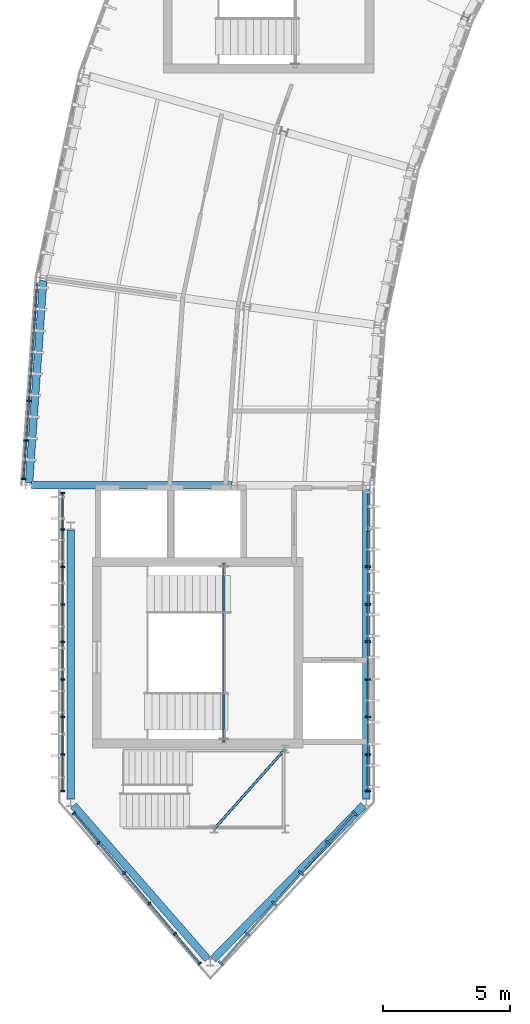
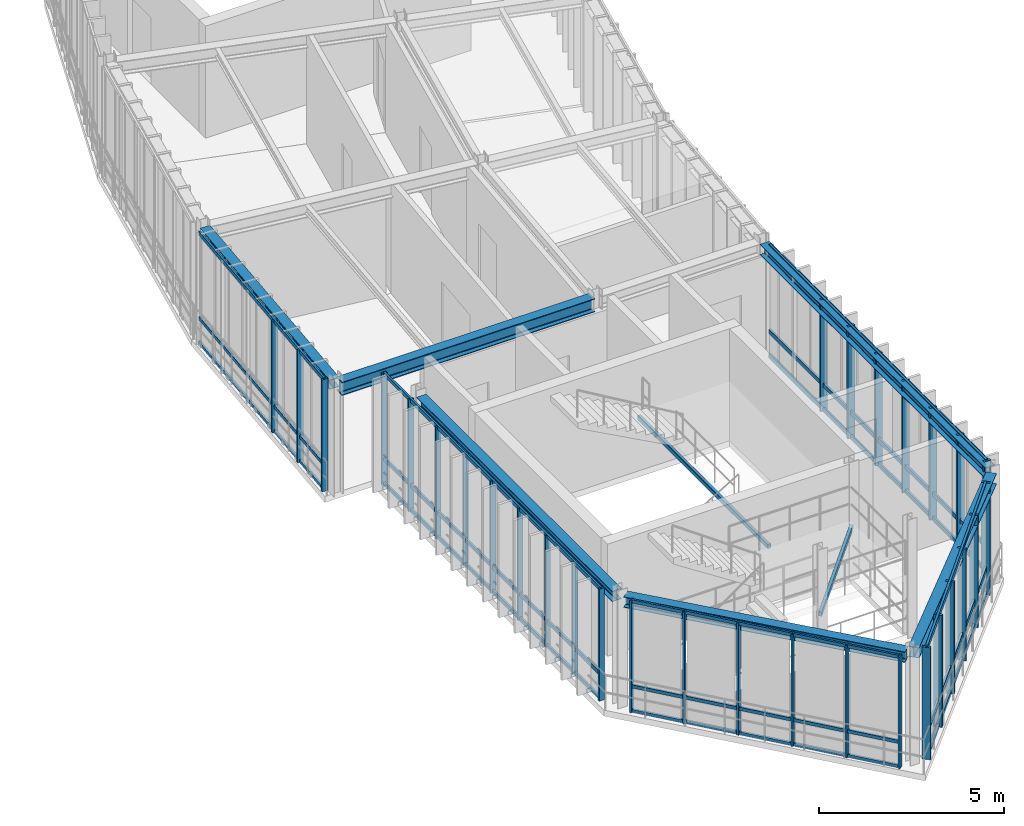
# One storey, part 4 of 25: 48 members, 6 beams, 5 elements without a shape of their own.
"""IFC4 building model written with IfcOpenShell, lengths in metres."""

import ifcopenshell
import ifcopenshell.guid

model = None  # the IFC model being written
_history = None  # IfcOwnerHistory: only IFC2X3 demands one
_inside = {}  # id of a spatial element -> (the spatial element, [elements in it])
_under = {}  # id of a project, library or spatial element -> (it, [spatial elements below it])
_declared = {}  # id of a project -> (the project, [libraries it declares])
_typed = {}  # id of a type object -> (the type object, [elements of that type])
_made_of = {}  # id of a material, layer set ... -> (it, [elements and type objects made of it])


def new_model(schema):
    """Start an empty IFC model of exactly this schema.

    Asked for "IFC4X3", IfcOpenShell would pick the latest addendum, in which some entities
    have other attributes; the version numbers below select the first issue.
    IFC2X3 requires an IfcOwnerHistory on every rooted entity: one is made here for all.
    """
    global model, _history
    if schema == "IFC4X3":
        model = ifcopenshell.file(schema_version=(4, 3, 0, 0))
    else:
        model = ifcopenshell.file(schema=schema)
    _inside.clear()
    _under.clear()
    _declared.clear()
    _typed.clear()
    _made_of.clear()
    _history = None
    if model.schema == "IFC2X3":
        org = make("IfcOrganization", Name="unknown")
        user = make(
            "IfcPersonAndOrganization",
            ThePerson=make("IfcPerson", FamilyName="unknown"),
            TheOrganization=org,
        )
        app = make(
            "IfcApplication",
            ApplicationDeveloper=org,
            Version="unknown",
            ApplicationFullName="unknown",
            ApplicationIdentifier="unknown",
        )
        _history = make(
            "IfcOwnerHistory",
            OwningUser=user,
            OwningApplication=app,
            ChangeAction="ADDED",
            CreationDate=0,
        )
    return model


def make(cls, **values):
    """One entity of the class cls with the attributes given. An attribute that is None is left unset."""
    return model.create_entity(
        cls, **{name: value for name, value in values.items() if value is not None}
    )


def rooted(cls, **values):
    """An entity with a GlobalId (a new one), such as an element, a storey or a relation."""
    return make(cls, GlobalId=ifcopenshell.guid.new(), OwnerHistory=_history, **values)


def si_unit(unit_type, name, prefix=None):
    """IfcSIUnit, for example si_unit("LENGTHUNIT", "METRE", prefix="MILLI")."""
    return make("IfcSIUnit", UnitType=unit_type, Prefix=prefix, Name=name)


def assignment(units):
    """IfcUnitAssignment: the units of a project."""
    return None if units is None else make("IfcUnitAssignment", Units=units)


def point(xyz):
    """IfcCartesianPoint."""
    return None if xyz is None else make("IfcCartesianPoint", Coordinates=xyz)


def direction(xyz):
    """IfcDirection."""
    return None if xyz is None else make("IfcDirection", DirectionRatios=xyz)


def frame(location, z_axis=None, x_axis=None):
    """IfcAxis2Placement3D, a coordinate frame: its origin and axes. An axis left out is left unset."""
    return make(
        "IfcAxis2Placement3D",
        Location=point(location),
        Axis=direction(z_axis),
        RefDirection=direction(x_axis),
    )


def frame_2d(location, x_axis=None):
    """IfcAxis2Placement2D, a coordinate frame in the plane: its origin and x axis."""
    return make(
        "IfcAxis2Placement2D", Location=point(location), RefDirection=direction(x_axis)
    )


def origin():
    """The frame at (0, 0, 0) with its axes left unset."""
    return frame((0.0, 0.0, 0.0))


def origin_2d():
    """The frame at (0, 0) in the plane with its x axis left unset."""
    return frame_2d((0.0, 0.0))


def place(relative_to, where):
    """IfcLocalPlacement: puts the frame where relative to a parent placement (None: the world)."""
    return make(
        "IfcLocalPlacement", PlacementRelTo=relative_to, RelativePlacement=where
    )


def context(
    kind, dimensions, precision=None, world=None, true_north=None, identifier=None
):
    """IfcGeometricRepresentationContext, for example the 3D "Model" context."""
    return make(
        "IfcGeometricRepresentationContext",
        ContextIdentifier=identifier,
        ContextType=kind,
        CoordinateSpaceDimension=dimensions,
        Precision=precision,
        WorldCoordinateSystem=world,
        TrueNorth=true_north,
    )


def subcontext(parent, identifier, kind, view, scale=None):
    """IfcGeometricRepresentationSubContext, for example "Body" below "Model"."""
    return make(
        "IfcGeometricRepresentationSubContext",
        ContextIdentifier=identifier,
        ContextType=kind,
        ParentContext=parent,
        TargetScale=scale,
        TargetView=view,
    )


def project(units=None, contexts=None):
    """IfcProject with its units and contexts."""
    return rooted(
        "IfcProject",
        Name="project",
        RepresentationContexts=contexts,
        UnitsInContext=assignment(units),
    )


def spatial(cls, under=None, at=None, **own):
    """A site, building, storey or space (cls), placed at a placement, below another one or the project."""
    s = rooted(cls, ObjectPlacement=at, **own)
    if under is not None:
        _under.setdefault(under.id(), (under, []))[1].append(s)
    return s


def profile(cls, at=None, kind="AREA", **sizes):
    """A parametric profile (cls). Its sizes go by their IFC names, for example OverallWidth=200.0."""
    return make(cls, ProfileType=kind, Position=at, **sizes)


def rectangle(**sizes):
    """IfcRectangleProfileDef."""
    return profile("IfcRectangleProfileDef", **sizes)


def hollow_rectangle(**sizes):
    """IfcRectangleHollowProfileDef."""
    return profile("IfcRectangleHollowProfileDef", **sizes)


def i_section(**sizes):
    """IfcIShapeProfileDef."""
    return profile("IfcIShapeProfileDef", **sizes)


def extrude(swept, where, along, depth):
    """IfcExtrudedAreaSolid: the profile swept, set in the frame where, extruded along a direction by depth."""
    return make(
        "IfcExtrudedAreaSolid",
        SweptArea=swept,
        Position=where,
        ExtrudedDirection=direction(along),
        Depth=depth,
    )


def shape(context_of_items, identifier, shape_type, items):
    """IfcShapeRepresentation: the items that make up one representation, for example the "Body"."""
    return make(
        "IfcShapeRepresentation",
        ContextOfItems=context_of_items,
        RepresentationIdentifier=identifier,
        RepresentationType=shape_type,
        Items=items,
    )


def material(Name=None, Category=None):
    """IfcMaterial."""
    return make("IfcMaterial", Name=Name, Category=Category)


def layer(
    of_material, thickness, ventilated=None, Name=None, Category=None, Priority=None
):
    """IfcMaterialLayer: one layer of a wall or slab, of a material (None: an air gap)."""
    return make(
        "IfcMaterialLayer",
        Material=of_material,
        LayerThickness=thickness,
        IsVentilated=ventilated,
        Name=Name,
        Category=Category,
        Priority=Priority,
    )


def layer_set(layers, Name=None):
    """IfcMaterialLayerSet."""
    return make("IfcMaterialLayerSet", MaterialLayers=layers, LayerSetName=Name)


def material_profile(
    of_material, cross_section, Name=None, Category=None, Priority=None
):
    """IfcMaterialProfile: a cross section and its material."""
    return make(
        "IfcMaterialProfile",
        Name=Name,
        Material=of_material,
        Profile=cross_section,
        Priority=Priority,
        Category=Category,
    )


def profile_set(profiles, Name=None, composite=None):
    """IfcMaterialProfileSet."""
    return make(
        "IfcMaterialProfileSet",
        Name=Name,
        MaterialProfiles=profiles,
        CompositeProfile=composite,
    )


def made_of(thing, what):
    """Note that an element or type object is made of a material, layer set ...; save() writes the relation."""
    if what is not None:
        _made_of.setdefault(what.id(), (what, []))[1].append(thing)
    return thing


def type_object(cls, material=None, **own):
    """A type object (cls), such as IfcWallType, which elements share."""
    return made_of(rooted(cls, **own), material)


def element(
    cls,
    number,
    at=None,
    inside=None,
    cuts=None,
    type_object=None,
    material=None,
    context=None,
    identifier="Body",
    shape_type=None,
    held_by="IfcProductDefinitionShape",
    body=None,
    shapes=None,
    **own,
):
    """One element of the class cls, such as IfcWall. Its Tag is "e" and its number.

    at: its placement. inside: the storey or other place that contains it. cuts: it is an
    opening in that element (IfcRelVoidsElement). A single representation is given by context,
    identifier, shape_type and body (its items); several are given by shapes. held_by: the class
    of the entity that holds the representations. save() writes the other relations.
    """
    e = rooted(cls, Tag="e%d" % number, ObjectPlacement=at, **own)
    if body is not None:
        shapes = [shape(context, identifier, shape_type, body)]
    if shapes is not None:
        e.Representation = make(held_by, Representations=shapes)
    if inside is not None:
        _inside.setdefault(inside.id(), (inside, []))[1].append(e)
    if cuts is not None:
        rooted(
            "IfcRelVoidsElement", RelatingBuildingElement=cuts, RelatedOpeningElement=e
        )
    if type_object is not None:
        _typed.setdefault(type_object.id(), (type_object, []))[1].append(e)
    return made_of(e, material)


def aggregate(whole, parts):
    """IfcRelAggregates: a whole, such as a stair, and the parts it consists of."""
    return rooted("IfcRelAggregates", RelatingObject=whole, RelatedObjects=parts)


def save(model, path):
    """Write the relations noted so far, then the file.

    IfcRelAggregates (storeys below a building ...), IfcRelContainedInSpatialStructure (elements
    in a storey), IfcRelDefinesByType, IfcRelAssociatesMaterial and IfcRelDeclares: one each for
    every whole, place, type object, material and project.
    """
    for whole, parts in _under.values():
        aggregate(whole, parts)
    for where, things in _inside.values():
        rooted(
            "IfcRelContainedInSpatialStructure",
            RelatedElements=things,
            RelatingStructure=where,
        )
    for kind, things in _typed.values():
        rooted("IfcRelDefinesByType", RelatedObjects=things, RelatingType=kind)
    for what, things in _made_of.values():
        rooted("IfcRelAssociatesMaterial", RelatedObjects=things, RelatingMaterial=what)
    for by, libraries in _declared.values():
        rooted("IfcRelDeclares", RelatingContext=by, RelatedDefinitions=libraries)
    model.write(path)


model = new_model("IFC4")

# Units and contexts
model_context = context("Model", 3, precision=1e-05, world=origin(), true_north=direction((0.0, 1.0)))
body_context = subcontext(model_context, "Body", "Model", "MODEL_VIEW")
ifc_project = project(units=[si_unit("LENGTHUNIT", "METRE"), si_unit("AREAUNIT", "SQUARE_METRE"), si_unit("VOLUMEUNIT", "CUBIC_METRE"), si_unit("PLANEANGLEUNIT", "RADIAN"), si_unit("MASSUNIT", "GRAM", prefix="KILO"), si_unit("THERMODYNAMICTEMPERATUREUNIT", "KELVIN"), si_unit("POWERUNIT", "WATT")], contexts=[model_context])

# Site, building, storey
site_placement = place(None, origin())
site = spatial("IfcSite", under=ifc_project, at=site_placement, CompositionType="ELEMENT")
building_placement = place(site_placement, origin())
building = spatial("IfcBuilding", under=site, at=building_placement, Name="Solvatero Civic Police Headquarters", CompositionType="ELEMENT")
storey_placement = place(building_placement, frame((0.0, 0.0, 25.5)))
storey = spatial("IfcBuildingStorey", under=building, at=storey_placement, Name="L06", CompositionType="ELEMENT", Elevation=25.5)

# Beams
ifc_material_1 = material(Name="Steel S355", Category="steel")
ifc_material_profile_1 = material_profile(ifc_material_1, i_section(OverallWidth=0.300048828125, OverallDepth=0.31005859375, WebThickness=0.009033203125, FlangeThickness=0.015380859375, FilletRadius=0.027099609375, at=origin_2d()), Name="HEA 320")
ifc_profile_set_1 = profile_set([ifc_material_profile_1], Name="Steel S355")
beam_type_1 = type_object("IfcBeamType", Name="BM-ST-HEA320", PredefinedType="SPANDREL", material=ifc_profile_set_1)
beam_1_placement = place(storey_placement, frame((35.913818359375, 34.062744140625, 3.544921875), z_axis=(-0.06976460332, -0.997563481751, 0.0), x_axis=(0.997563481751, -0.06976460332, 0.0)))
element("IfcBeam", 1, at=beam_1_placement, inside=storey, type_object=beam_type_1, Name="Perimeter / radial spandrel beam BM-R2-L06-ARC-COUT-B12", PredefinedType="SPANDREL", context=body_context, shape_type="SweptSolid", body=[
    extrude(i_section(OverallWidth=0.300048828125, OverallDepth=0.31005859375, WebThickness=0.009033203125, FlangeThickness=0.015380859375, FilletRadius=0.027099609375, at=origin_2d()), origin(), (0.0, 0.0, 1.0), 7.982421875),
])
ifc_material_profile_2 = material_profile(ifc_material_1, i_section(OverallWidth=0.300048828125, OverallDepth=0.35009765625, WebThickness=0.010009765625, FlangeThickness=0.017578125, FilletRadius=0.027099609375, at=origin_2d()), Name="HEA 360")
ifc_profile_set_2 = profile_set([ifc_material_profile_2], Name="Steel S355")
beam_type_2 = type_object("IfcBeamType", Name="BM-ST-HEA360", PredefinedType="SPANDREL", material=ifc_profile_set_2)
beam_2_placement = place(storey_placement, frame((37.0, 24.239990234375, 3.52490234375), z_axis=(0.0, -1.0, 0.0), x_axis=(1.0, 0.0, 0.0)))
element("IfcBeam", 2, at=beam_2_placement, inside=storey, type_object=beam_type_2, Name="Perimeter / radial spandrel beam BM-R2-L06-PROW-W", PredefinedType="SPANDREL", context=body_context, shape_type="SweptSolid", body=[
    extrude(i_section(OverallWidth=0.300048828125, OverallDepth=0.35009765625, WebThickness=0.010009765625, FlangeThickness=0.017578125, FilletRadius=0.027099609375, at=origin_2d()), origin(), (0.0, 0.0, 1.0), 10.580078125),
])
beam_3_placement = place(storey_placement, frame((37.105224609375, 13.37939453125, 3.52490234375), z_axis=(0.657663937616, -0.753311452959, 0.0), x_axis=(0.753311452959, 0.657663937616, 0.0)))
element("IfcBeam", 3, at=beam_3_placement, inside=storey, type_object=beam_type_2, Name="Perimeter / radial spandrel beam BM-R2-L06-PROW-SW", PredefinedType="SPANDREL", context=body_context, shape_type="SweptSolid", body=[
    extrude(i_section(OverallWidth=0.300048828125, OverallDepth=0.35009765625, WebThickness=0.010009765625, FlangeThickness=0.017578125, FilletRadius=0.027099609375, at=origin_2d()), origin(), (0.0, 0.0, 1.0), 8.04296875),
])
beam_4_placement = place(storey_placement, frame((42.61181640625, 7.314453125, 3.52490234375), z_axis=(0.698523042205, 0.715587562433, 0.0), x_axis=(-0.715587562433, 0.698523042205, 0.0)))
element("IfcBeam", 4, at=beam_4_placement, inside=storey, type_object=beam_type_2, Name="Perimeter / radial spandrel beam BM-R2-L06-PROW-SE", PredefinedType="SPANDREL", context=body_context, shape_type="SweptSolid", body=[
    extrude(i_section(OverallWidth=0.300048828125, OverallDepth=0.35009765625, WebThickness=0.010009765625, FlangeThickness=0.017578125, FilletRadius=0.027099609375, at=origin_2d()), origin(), (0.0, 0.0, 1.0), 8.48388671875),
])
beam_5_placement = place(storey_placement, frame((48.64990234375, 13.659912109375, 3.52490234375), z_axis=(0.0, 1.0, 0.0), x_axis=(-1.0, 0.0, 0.0)))
element("IfcBeam", 5, at=beam_5_placement, inside=storey, type_object=beam_type_2, Name="Perimeter / radial spandrel beam BM-R2-L06-PROW-E", PredefinedType="SPANDREL", context=body_context, shape_type="SweptSolid", body=[
    extrude(i_section(OverallWidth=0.300048828125, OverallDepth=0.35009765625, WebThickness=0.010009765625, FlangeThickness=0.017578125, FilletRadius=0.027099609375, at=origin_2d()), origin(), (0.0, 0.0, 1.0), 12.18017578125),
])
ifc_material_profile_3 = material_profile(ifc_material_1, i_section(OverallWidth=0.300048828125, OverallDepth=0.43994140625, WebThickness=0.011474609375, FlangeThickness=0.02099609375, FilletRadius=0.027099609375, at=origin_2d()), Name="HEA 450")
ifc_profile_set_3 = profile_set([ifc_material_profile_3], Name="Steel S355")
beam_type_3 = type_object("IfcBeamType", Name="BM-ST-HEA450", PredefinedType="BEAM", material=ifc_profile_set_3)
beam_6_placement = place(storey_placement, frame((43.35009765625, 26.0, 3.47998046875), z_axis=(-1.0, 0.0, 0.0), x_axis=(0.0, -1.0, 0.0)))
element("IfcBeam", 6, at=beam_6_placement, inside=storey, type_object=beam_type_3, Name="Primary girder BM-R2-L06-ARC-RAD2-S12", PredefinedType="BEAM", context=body_context, shape_type="SweptSolid", body=[
    extrude(i_section(OverallWidth=0.300048828125, OverallDepth=0.43994140625, WebThickness=0.011474609375, FlangeThickness=0.02099609375, FilletRadius=0.027099609375, at=origin_2d()), origin(), (0.0, 0.0, 1.0), 7.900146484375),
])

# Curtain wall, members
ifc_material_2 = material(Name="Anodized Bronze Aluminium", Category="aluminium")
ifc_layer_1 = layer(ifc_material_2, 0.179931640625)
ifc_layer_set_1 = layer_set([ifc_layer_1], Name="Anodized Bronze Aluminium")
curtain_wall_type_1 = type_object("IfcCurtainWallType", Name="CW-PROW-GLZ", PredefinedType="USERDEFINED", material=ifc_layer_set_1)
curtain_wall_1_placement = place(storey_placement, origin())
curtain_wall_1 = element("IfcCurtainWall", 7, at=curtain_wall_1_placement, inside=storey, type_object=curtain_wall_type_1, Name="Curtain Wall CW-R2-L06-PROW-SE", ObjectType="UNITISED", PredefinedType="USERDEFINED")
ifc_material_profile_4 = material_profile(ifc_material_2, rectangle(XDim=0.080078125, YDim=0.239990234375, at=origin_2d()), Name="ALU MULLION 80x240")
ifc_profile_set_4 = profile_set([ifc_material_profile_4], Name="Anodized Bronze Aluminium")
member_type_1 = type_object("IfcMemberType", Name="CWM-140x60", PredefinedType="MULLION", material=ifc_profile_set_4)
member_1_placement = place(storey_placement, frame((42.91650390625, 7.15478515625, 0.0), z_axis=(0.0, 0.0, 1.0), x_axis=(0.664656781592, 0.747148822313, 0.0)))
member_1 = element("IfcMember", 8, at=member_1_placement, type_object=member_type_1, Name="CW-R2-L06-PROW-SE Mullion 1", PredefinedType="MULLION", context=body_context, shape_type="SweptSolid", body=[
    extrude(rectangle(XDim=0.080078125, YDim=0.239990234375, at=origin_2d()), origin(), (0.0, 0.0, 1.0), 3.699951171875),
])
member_2_placement = place(storey_placement, frame((43.9541015625, 8.32080078125, 0.0), z_axis=(0.0, 0.0, 1.0), x_axis=(0.664656781592, 0.747148822313, 0.0)))
member_2 = element("IfcMember", 9, at=member_2_placement, type_object=member_type_1, Name="CW-R2-L06-PROW-SE Mullion 2", PredefinedType="MULLION", context=body_context, shape_type="SweptSolid", body=[
    extrude(rectangle(XDim=0.080078125, YDim=0.239990234375, at=origin_2d()), origin(), (0.0, 0.0, 1.0), 3.699951171875),
])
member_3_placement = place(storey_placement, frame((45.01806640625, 9.516845703125, 0.0), z_axis=(0.0, 0.0, 1.0), x_axis=(0.664656781592, 0.747148822313, 0.0)))
member_3 = element("IfcMember", 10, at=member_3_placement, type_object=member_type_1, Name="CW-R2-L06-PROW-SE Mullion 3", PredefinedType="MULLION", context=body_context, shape_type="SweptSolid", body=[
    extrude(rectangle(XDim=0.080078125, YDim=0.239990234375, at=origin_2d()), origin(), (0.0, 0.0, 1.0), 3.699951171875),
])
member_4_placement = place(storey_placement, frame((46.08203125, 10.712890625, 0.0), z_axis=(0.0, 0.0, 1.0), x_axis=(0.664656781592, 0.747148822313, 0.0)))
member_4 = element("IfcMember", 11, at=member_4_placement, type_object=member_type_1, Name="CW-R2-L06-PROW-SE Mullion 4", PredefinedType="MULLION", context=body_context, shape_type="SweptSolid", body=[
    extrude(rectangle(XDim=0.080078125, YDim=0.239990234375, at=origin_2d()), origin(), (0.0, 0.0, 1.0), 3.699951171875),
])
member_5_placement = place(storey_placement, frame((47.14599609375, 11.9091796875, 0.0), z_axis=(0.0, 0.0, 1.0), x_axis=(0.664656781592, 0.747148822313, 0.0)))
member_5 = element("IfcMember", 12, at=member_5_placement, type_object=member_type_1, Name="CW-R2-L06-PROW-SE Mullion 5", PredefinedType="MULLION", context=body_context, shape_type="SweptSolid", body=[
    extrude(rectangle(XDim=0.080078125, YDim=0.239990234375, at=origin_2d()), origin(), (0.0, 0.0, 1.0), 3.699951171875),
])
member_6_placement = place(storey_placement, frame((48.18359375, 13.0751953125, 0.0), z_axis=(0.0, 0.0, 1.0), x_axis=(0.664656781592, 0.747148822313, 0.0)))
member_6 = element("IfcMember", 13, at=member_6_placement, type_object=member_type_1, Name="CW-R2-L06-PROW-SE Mullion 6", PredefinedType="MULLION", context=body_context, shape_type="SweptSolid", body=[
    extrude(rectangle(XDim=0.080078125, YDim=0.239990234375, at=origin_2d()), origin(), (0.0, 0.0, 1.0), 3.699951171875),
])

curtain_wall_2_placement = place(storey_placement, origin())
curtain_wall_2 = element("IfcCurtainWall", 14, at=curtain_wall_2_placement, inside=storey, type_object=curtain_wall_type_1, Name="Curtain Wall CW-R2-L06-PROW-SW", ObjectType="UNITISED", PredefinedType="USERDEFINED")
ifc_material_profile_5 = material_profile(ifc_material_2, rectangle(XDim=0.06005859375, YDim=0.139892578125, at=origin_2d()), Name="ALU MULLION 60x140")
ifc_profile_set_5 = profile_set([ifc_material_profile_5], Name="Anodized Bronze Aluminium")
member_type_2 = type_object("IfcMemberType", Name="CWM-160x65", PredefinedType="MULLION", material=ifc_profile_set_5)
member_7_placement = place(storey_placement, frame((37.1142578125, 13.073486328125, 0.0), z_axis=(0.0, 0.0, 1.0), x_axis=(0.643282165541, -0.765629189293, 0.0)))
member_7 = element("IfcMember", 15, at=member_7_placement, type_object=member_type_2, Name="CW-R2-L06-PROW-SW Mullion 1", PredefinedType="MULLION", context=body_context, shape_type="SweptSolid", body=[
    extrude(rectangle(XDim=0.06005859375, YDim=0.139892578125, at=origin_2d()), origin(), (0.0, 0.0, 1.0), 3.699951171875),
])
member_8_placement = place(storey_placement, frame((38.09326171875, 11.908447265625, 0.0), z_axis=(0.0, 0.0, 1.0), x_axis=(0.643282165541, -0.765629189293, 0.0)))
member_8 = element("IfcMember", 16, at=member_8_placement, type_object=member_type_2, Name="CW-R2-L06-PROW-SW Mullion 2", PredefinedType="MULLION", context=body_context, shape_type="SweptSolid", body=[
    extrude(rectangle(XDim=0.06005859375, YDim=0.139892578125, at=origin_2d()), origin(), (0.0, 0.0, 1.0), 3.699951171875),
])
member_9_placement = place(storey_placement, frame((39.09765625, 10.712890625, 0.0), z_axis=(0.0, 0.0, 1.0), x_axis=(0.643282165541, -0.765629189293, 0.0)))
member_9 = element("IfcMember", 17, at=member_9_placement, type_object=member_type_2, Name="CW-R2-L06-PROW-SW Mullion 3", PredefinedType="MULLION", context=body_context, shape_type="SweptSolid", body=[
    extrude(rectangle(XDim=0.06005859375, YDim=0.139892578125, at=origin_2d()), origin(), (0.0, 0.0, 1.0), 3.699951171875),
])
member_10_placement = place(storey_placement, frame((40.102294921875, 9.51708984375, 0.0), z_axis=(0.0, 0.0, 1.0), x_axis=(0.643282165541, -0.765629189293, 0.0)))
member_10 = element("IfcMember", 18, at=member_10_placement, type_object=member_type_2, Name="CW-R2-L06-PROW-SW Mullion 4", PredefinedType="MULLION", context=body_context, shape_type="SweptSolid", body=[
    extrude(rectangle(XDim=0.06005859375, YDim=0.139892578125, at=origin_2d()), origin(), (0.0, 0.0, 1.0), 3.699951171875),
])
member_11_placement = place(storey_placement, frame((41.10693359375, 8.321533203125, 0.0), z_axis=(0.0, 0.0, 1.0), x_axis=(0.643282165541, -0.765629189293, 0.0)))
member_11 = element("IfcMember", 19, at=member_11_placement, type_object=member_type_2, Name="CW-R2-L06-PROW-SW Mullion 5", PredefinedType="MULLION", context=body_context, shape_type="SweptSolid", body=[
    extrude(rectangle(XDim=0.06005859375, YDim=0.139892578125, at=origin_2d()), origin(), (0.0, 0.0, 1.0), 3.699951171875),
])
member_12_placement = place(storey_placement, frame((42.085693359375, 7.156494140625, 0.0), z_axis=(0.0, 0.0, 1.0), x_axis=(0.643282165541, -0.765629189293, 0.0)))
member_12 = element("IfcMember", 20, at=member_12_placement, type_object=member_type_2, Name="CW-R2-L06-PROW-SW Mullion 6", PredefinedType="MULLION", context=body_context, shape_type="SweptSolid", body=[
    extrude(rectangle(XDim=0.06005859375, YDim=0.139892578125, at=origin_2d()), origin(), (0.0, 0.0, 1.0), 3.699951171875),
])

curtain_wall_3_placement = place(storey_placement, origin())
curtain_wall_3 = element("IfcCurtainWall", 21, at=curtain_wall_3_placement, inside=storey, type_object=curtain_wall_type_1, Name="Curtain Wall CW-R2-L06-PROW-W", ObjectType="UNITISED", PredefinedType="USERDEFINED")
ifc_material_profile_6 = material_profile(ifc_material_2, rectangle(XDim=0.06005859375, YDim=0.159912109375, at=origin_2d()), Name="ALU MULLION 60x160")
ifc_profile_set_6 = profile_set([ifc_material_profile_6], Name="Anodized Bronze Aluminium")
member_type_3 = type_object("IfcMemberType", Name="CWM-180x70", PredefinedType="MULLION", material=ifc_profile_set_6)
member_13_placement = place(storey_placement, frame((36.679931640625, 25.699951171875, 0.0), z_axis=(0.0, 0.0, 1.0), x_axis=(0.0, -1.0, 0.0)))
member_13 = element("IfcMember", 22, at=member_13_placement, type_object=member_type_3, Name="CW-R2-L06-PROW-W Mullion 1", PredefinedType="MULLION", context=body_context, shape_type="SweptSolid", body=[
    extrude(rectangle(XDim=0.06005859375, YDim=0.159912109375, at=origin_2d()), origin(), (0.0, 0.0, 1.0), 3.699951171875),
])
member_14_placement = place(storey_placement, frame((36.679931640625, 24.26123046875, 0.0), z_axis=(0.0, 0.0, 1.0), x_axis=(0.0, -1.0, 0.0)))
member_14 = element("IfcMember", 23, at=member_14_placement, type_object=member_type_3, Name="CW-R2-L06-PROW-W Mullion 2", PredefinedType="MULLION", context=body_context, shape_type="SweptSolid", body=[
    extrude(rectangle(XDim=0.06005859375, YDim=0.159912109375, at=origin_2d()), origin(), (0.0, 0.0, 1.0), 3.699951171875),
])
member_15_placement = place(storey_placement, frame((36.679931640625, 22.782470703125, 0.0), z_axis=(0.0, 0.0, 1.0), x_axis=(0.0, -1.0, 0.0)))
member_15 = element("IfcMember", 24, at=member_15_placement, type_object=member_type_3, Name="CW-R2-L06-PROW-W Mullion 3", PredefinedType="MULLION", context=body_context, shape_type="SweptSolid", body=[
    extrude(rectangle(XDim=0.06005859375, YDim=0.159912109375, at=origin_2d()), origin(), (0.0, 0.0, 1.0), 3.699951171875),
])
member_16_placement = place(storey_placement, frame((36.679931640625, 21.3037109375, 0.0), z_axis=(0.0, 0.0, 1.0), x_axis=(0.0, -1.0, 0.0)))
member_16 = element("IfcMember", 25, at=member_16_placement, type_object=member_type_3, Name="CW-R2-L06-PROW-W Mullion 4", PredefinedType="MULLION", context=body_context, shape_type="SweptSolid", body=[
    extrude(rectangle(XDim=0.06005859375, YDim=0.159912109375, at=origin_2d()), origin(), (0.0, 0.0, 1.0), 3.699951171875),
])
member_17_placement = place(storey_placement, frame((36.679931640625, 19.824951171875, 0.0), z_axis=(0.0, 0.0, 1.0), x_axis=(0.0, -1.0, 0.0)))
member_17 = element("IfcMember", 26, at=member_17_placement, type_object=member_type_3, Name="CW-R2-L06-PROW-W Mullion 5", PredefinedType="MULLION", context=body_context, shape_type="SweptSolid", body=[
    extrude(rectangle(XDim=0.06005859375, YDim=0.159912109375, at=origin_2d()), origin(), (0.0, 0.0, 1.0), 3.699951171875),
])
member_18_placement = place(storey_placement, frame((36.679931640625, 18.34619140625, 0.0), z_axis=(0.0, 0.0, 1.0), x_axis=(0.0, -1.0, 0.0)))
member_18 = element("IfcMember", 27, at=member_18_placement, type_object=member_type_3, Name="CW-R2-L06-PROW-W Mullion 6", PredefinedType="MULLION", context=body_context, shape_type="SweptSolid", body=[
    extrude(rectangle(XDim=0.06005859375, YDim=0.159912109375, at=origin_2d()), origin(), (0.0, 0.0, 1.0), 3.699951171875),
])
member_19_placement = place(storey_placement, frame((36.679931640625, 16.867431640625, 0.0), z_axis=(0.0, 0.0, 1.0), x_axis=(0.0, -1.0, 0.0)))
member_19 = element("IfcMember", 28, at=member_19_placement, type_object=member_type_3, Name="CW-R2-L06-PROW-W Mullion 7", PredefinedType="MULLION", context=body_context, shape_type="SweptSolid", body=[
    extrude(rectangle(XDim=0.06005859375, YDim=0.159912109375, at=origin_2d()), origin(), (0.0, 0.0, 1.0), 3.699951171875),
])
member_20_placement = place(storey_placement, frame((36.679931640625, 15.388671875, 0.0), z_axis=(0.0, 0.0, 1.0), x_axis=(0.0, -1.0, 0.0)))
member_20 = element("IfcMember", 29, at=member_20_placement, type_object=member_type_3, Name="CW-R2-L06-PROW-W Mullion 8", PredefinedType="MULLION", context=body_context, shape_type="SweptSolid", body=[
    extrude(rectangle(XDim=0.06005859375, YDim=0.159912109375, at=origin_2d()), origin(), (0.0, 0.0, 1.0), 3.699951171875),
])
member_21_placement = place(storey_placement, frame((36.679931640625, 13.949951171875, 0.0), z_axis=(0.0, 0.0, 1.0), x_axis=(0.0, -1.0, 0.0)))
member_21 = element("IfcMember", 30, at=member_21_placement, type_object=member_type_3, Name="CW-R2-L06-PROW-W Mullion 9", PredefinedType="MULLION", context=body_context, shape_type="SweptSolid", body=[
    extrude(rectangle(XDim=0.06005859375, YDim=0.159912109375, at=origin_2d()), origin(), (0.0, 0.0, 1.0), 3.699951171875),
])

ifc_layer_2 = layer(ifc_material_2, 0.179931640625)
ifc_layer_set_2 = layer_set([ifc_layer_2], Name="Anodized Bronze Aluminium")
curtain_wall_type_2 = type_object("IfcCurtainWallType", Name="CW-ARC-OUT", PredefinedType="USERDEFINED", material=ifc_layer_set_2)
curtain_wall_4_placement = place(storey_placement, origin())
curtain_wall_4 = element("IfcCurtainWall", 31, at=curtain_wall_4_placement, inside=storey, type_object=curtain_wall_type_2, Name="Curtain Wall CW-R2-L06-ARC-OUT-B12", ObjectType="UNITISED", PredefinedType="USERDEFINED")
ifc_material_profile_7 = material_profile(ifc_material_2, rectangle(XDim=0.06494140625, YDim=0.179931640625, at=origin_2d()), Name="ALU MULLION 65x180")
ifc_profile_set_7 = profile_set([ifc_material_profile_7], Name="Anodized Bronze Aluminium")
member_type_4 = type_object("IfcMemberType", Name="CWM-200x75", PredefinedType="MULLION", material=ifc_profile_set_7)
member_22_placement = place(storey_placement, frame((35.352294921875, 29.322998046875, 0.0), z_axis=(0.0, 0.0, 1.0), x_axis=(-0.069739062956, -0.997565267588, 0.0)))
member_22 = element("IfcMember", 32, at=member_22_placement, type_object=member_type_4, Name="CW-R2-L06-ARC-OUT-B12 Mullion 4", PredefinedType="MULLION", context=body_context, shape_type="SweptSolid", body=[
    extrude(rectangle(XDim=0.06494140625, YDim=0.179931640625, at=origin_2d()), origin(), (0.0, 0.0, 1.0), 3.699951171875),
])
member_23_placement = place(storey_placement, frame((35.243408203125, 27.76416015625, 0.0), z_axis=(0.0, 0.0, 1.0), x_axis=(-0.069739062956, -0.997565267588, 0.0)))
member_23 = element("IfcMember", 33, at=member_23_placement, type_object=member_type_4, Name="CW-R2-L06-ARC-OUT-B12 Mullion 5", PredefinedType="MULLION", context=body_context, shape_type="SweptSolid", body=[
    extrude(rectangle(XDim=0.06494140625, YDim=0.179931640625, at=origin_2d()), origin(), (0.0, 0.0, 1.0), 3.699951171875),
])
member_24_placement = place(storey_placement, frame((35.13720703125, 26.245361328125, 0.0), z_axis=(0.0, 0.0, 1.0), x_axis=(-0.069739062956, -0.997565267588, 0.0)))
member_24 = element("IfcMember", 34, at=member_24_placement, type_object=member_type_4, Name="CW-R2-L06-ARC-OUT-B12 Mullion 6", PredefinedType="MULLION", context=body_context, shape_type="SweptSolid", body=[
    extrude(rectangle(XDim=0.06494140625, YDim=0.179931640625, at=origin_2d()), origin(), (0.0, 0.0, 1.0), 3.699951171875),
])

curtain_wall_5_placement = place(storey_placement, origin())
curtain_wall_5 = element("IfcCurtainWall", 35, at=curtain_wall_5_placement, inside=storey, type_object=curtain_wall_type_1, Name="Curtain Wall CW-R2-L06-PROW-E", ObjectType="UNITISED", PredefinedType="USERDEFINED")
ifc_material_profile_8 = material_profile(ifc_material_2, rectangle(XDim=0.074951171875, YDim=0.219970703125, at=origin_2d()), Name="ALU MULLION 75x220")
ifc_profile_set_8 = profile_set([ifc_material_profile_8], Name="Anodized Bronze Aluminium")
member_type_5 = type_object("IfcMemberType", Name="CWM-250x85", PredefinedType="MULLION", material=ifc_profile_set_8)
member_25_placement = place(storey_placement, frame((48.719970703125, 13.949951171875, 0.0), z_axis=(0.0, 0.0, 1.0), x_axis=(0.0, 1.0, 0.0)))
member_25 = element("IfcMember", 36, at=member_25_placement, type_object=member_type_5, Name="CW-R2-L06-PROW-E Mullion 1", PredefinedType="MULLION", context=body_context, shape_type="SweptSolid", body=[
    extrude(rectangle(XDim=0.074951171875, YDim=0.219970703125, at=origin_2d()), origin(), (0.0, 0.0, 1.0), 3.699951171875),
])
member_26_placement = place(storey_placement, frame((48.719970703125, 15.388671875, 0.0), z_axis=(0.0, 0.0, 1.0), x_axis=(0.0, 1.0, 0.0)))
member_26 = element("IfcMember", 37, at=member_26_placement, type_object=member_type_5, Name="CW-R2-L06-PROW-E Mullion 2", PredefinedType="MULLION", context=body_context, shape_type="SweptSolid", body=[
    extrude(rectangle(XDim=0.074951171875, YDim=0.219970703125, at=origin_2d()), origin(), (0.0, 0.0, 1.0), 3.699951171875),
])
member_27_placement = place(storey_placement, frame((48.719970703125, 16.867431640625, 0.0), z_axis=(0.0, 0.0, 1.0), x_axis=(0.0, 1.0, 0.0)))
member_27 = element("IfcMember", 38, at=member_27_placement, type_object=member_type_5, Name="CW-R2-L06-PROW-E Mullion 3", PredefinedType="MULLION", context=body_context, shape_type="SweptSolid", body=[
    extrude(rectangle(XDim=0.074951171875, YDim=0.219970703125, at=origin_2d()), origin(), (0.0, 0.0, 1.0), 3.699951171875),
])
member_28_placement = place(storey_placement, frame((48.719970703125, 18.34619140625, 0.0), z_axis=(0.0, 0.0, 1.0), x_axis=(0.0, 1.0, 0.0)))
member_28 = element("IfcMember", 39, at=member_28_placement, type_object=member_type_5, Name="CW-R2-L06-PROW-E Mullion 4", PredefinedType="MULLION", context=body_context, shape_type="SweptSolid", body=[
    extrude(rectangle(XDim=0.074951171875, YDim=0.219970703125, at=origin_2d()), origin(), (0.0, 0.0, 1.0), 3.699951171875),
])
member_29_placement = place(storey_placement, frame((48.719970703125, 19.824951171875, 0.0), z_axis=(0.0, 0.0, 1.0), x_axis=(0.0, 1.0, 0.0)))
member_29 = element("IfcMember", 40, at=member_29_placement, type_object=member_type_5, Name="CW-R2-L06-PROW-E Mullion 5", PredefinedType="MULLION", context=body_context, shape_type="SweptSolid", body=[
    extrude(rectangle(XDim=0.074951171875, YDim=0.219970703125, at=origin_2d()), origin(), (0.0, 0.0, 1.0), 3.699951171875),
])
member_30_placement = place(storey_placement, frame((48.719970703125, 21.3037109375, 0.0), z_axis=(0.0, 0.0, 1.0), x_axis=(0.0, 1.0, 0.0)))
member_30 = element("IfcMember", 41, at=member_30_placement, type_object=member_type_5, Name="CW-R2-L06-PROW-E Mullion 6", PredefinedType="MULLION", context=body_context, shape_type="SweptSolid", body=[
    extrude(rectangle(XDim=0.074951171875, YDim=0.219970703125, at=origin_2d()), origin(), (0.0, 0.0, 1.0), 3.699951171875),
])
member_31_placement = place(storey_placement, frame((48.719970703125, 22.782470703125, 0.0), z_axis=(0.0, 0.0, 1.0), x_axis=(0.0, 1.0, 0.0)))
member_31 = element("IfcMember", 42, at=member_31_placement, type_object=member_type_5, Name="CW-R2-L06-PROW-E Mullion 7", PredefinedType="MULLION", context=body_context, shape_type="SweptSolid", body=[
    extrude(rectangle(XDim=0.074951171875, YDim=0.219970703125, at=origin_2d()), origin(), (0.0, 0.0, 1.0), 3.699951171875),
])

# Member
ifc_material_profile_9 = material_profile(ifc_material_2, rectangle(XDim=0.070068359375, YDim=0.159912109375, at=origin_2d()), Name="ALU TRANSOM 70x160")
ifc_profile_set_9 = profile_set([ifc_material_profile_9], Name="Anodized Bronze Aluminium")
member_type_6 = type_object("IfcMemberType", Name="CWT-120x55", PredefinedType="USERDEFINED", material=ifc_profile_set_9)
member_32_placement = place(storey_placement, frame((42.923095703125, 7.162109375, 0.0400390625), z_axis=(0.664670514565, 0.747136605359, 0.0), x_axis=(-0.747136605359, 0.664670514565, 0.0)))
member_32 = element("IfcMember", 43, at=member_32_placement, type_object=member_type_6, Name="CW-R2-L06-PROW-SE Transom 1", ObjectType="TRANSOM", PredefinedType="USERDEFINED", context=body_context, shape_type="SweptSolid", body=[
    extrude(rectangle(XDim=0.070068359375, YDim=0.159912109375, at=origin_2d()), origin(), (0.0, 0.0, 1.0), 7.904541015625),
])

member_33_placement = place(storey_placement, frame((42.923095703125, 7.162109375, 0.85009765625), z_axis=(0.664670514565, 0.747136605359, 0.0), x_axis=(-0.747136605359, 0.664670514565, 0.0)))
member_33 = element("IfcMember", 44, at=member_33_placement, type_object=member_type_6, Name="CW-R2-L06-PROW-SE Transom 2", ObjectType="TRANSOM", PredefinedType="USERDEFINED", context=body_context, shape_type="SweptSolid", body=[
    extrude(rectangle(XDim=0.070068359375, YDim=0.159912109375, at=origin_2d()), origin(), (0.0, 0.0, 1.0), 7.904541015625),
])

member_34_placement = place(storey_placement, frame((42.923095703125, 7.162109375, 3.659912109375), z_axis=(0.664670514565, 0.747136605359, 0.0), x_axis=(-0.747136605359, 0.664670514565, 0.0)))
member_34 = element("IfcMember", 45, at=member_34_placement, type_object=member_type_6, Name="CW-R2-L06-PROW-SE Transom 3", ObjectType="TRANSOM", PredefinedType="USERDEFINED", context=body_context, shape_type="SweptSolid", body=[
    extrude(rectangle(XDim=0.070068359375, YDim=0.159912109375, at=origin_2d()), origin(), (0.0, 0.0, 1.0), 7.904541015625),
])

aggregate(curtain_wall_1, [member_1, member_2, member_3, member_4, member_5, member_6, member_32, member_33, member_34])

ifc_material_profile_10 = material_profile(ifc_material_2, rectangle(XDim=0.06005859375, YDim=0.110107421875, at=origin_2d()), Name="ALU TRANSOM 60x110")
ifc_profile_set_10 = profile_set([ifc_material_profile_10], Name="Anodized Bronze Aluminium")
member_type_7 = type_object("IfcMemberType", Name="CWT-140x60", PredefinedType="USERDEFINED", material=ifc_profile_set_10)
member_35_placement = place(storey_placement, frame((35.67578125, 33.94921875, 0.0400390625), z_axis=(-0.069735256417, -0.997565533693, 0.0), x_axis=(0.997565533693, -0.069735256417, 0.0)))
member_35 = element("IfcMember", 46, at=member_35_placement, type_object=member_type_7, Name="CW-R2-L06-ARC-OUT-B12 Transom 1", ObjectType="TRANSOM", PredefinedType="USERDEFINED", context=body_context, shape_type="SweptSolid", body=[
    extrude(rectangle(XDim=0.06005859375, YDim=0.110107421875, at=origin_2d()), origin(), (0.0, 0.0, 1.0), 7.712646484375),
])

member_36_placement = place(storey_placement, frame((35.67578125, 33.94921875, 0.85009765625), z_axis=(-0.069735256417, -0.997565533693, 0.0), x_axis=(0.997565533693, -0.069735256417, 0.0)))
member_36 = element("IfcMember", 47, at=member_36_placement, type_object=member_type_7, Name="CW-R2-L06-ARC-OUT-B12 Transom 2", ObjectType="TRANSOM", PredefinedType="USERDEFINED", context=body_context, shape_type="SweptSolid", body=[
    extrude(rectangle(XDim=0.06005859375, YDim=0.110107421875, at=origin_2d()), origin(), (0.0, 0.0, 1.0), 7.712646484375),
])

member_37_placement = place(storey_placement, frame((35.67578125, 33.94921875, 3.659912109375), z_axis=(-0.069735256417, -0.997565533693, 0.0), x_axis=(0.997565533693, -0.069735256417, 0.0)))
member_37 = element("IfcMember", 48, at=member_37_placement, type_object=member_type_7, Name="CW-R2-L06-ARC-OUT-B12 Transom 3", ObjectType="TRANSOM", PredefinedType="USERDEFINED", context=body_context, shape_type="SweptSolid", body=[
    extrude(rectangle(XDim=0.06005859375, YDim=0.110107421875, at=origin_2d()), origin(), (0.0, 0.0, 1.0), 7.712646484375),
])

aggregate(curtain_wall_4, [member_22, member_23, member_24, member_35, member_36, member_37])

member_38_placement = place(storey_placement, frame((37.120849609375, 13.06591796875, 0.0400390625), z_axis=(0.643260422909, -0.76564745694, 0.0), x_axis=(0.76564745694, 0.643260422909, 0.0)))
member_38 = element("IfcMember", 49, at=member_38_placement, type_object=member_type_7, Name="CW-R2-L06-PROW-SW Transom 1", ObjectType="TRANSOM", PredefinedType="USERDEFINED", context=body_context, shape_type="SweptSolid", body=[
    extrude(rectangle(XDim=0.06005859375, YDim=0.110107421875, at=origin_2d()), origin(), (0.0, 0.0, 1.0), 7.7080078125),
])

member_39_placement = place(storey_placement, frame((37.120849609375, 13.06591796875, 0.85009765625), z_axis=(0.643260422909, -0.76564745694, 0.0), x_axis=(0.76564745694, 0.643260422909, 0.0)))
member_39 = element("IfcMember", 50, at=member_39_placement, type_object=member_type_7, Name="CW-R2-L06-PROW-SW Transom 2", ObjectType="TRANSOM", PredefinedType="USERDEFINED", context=body_context, shape_type="SweptSolid", body=[
    extrude(rectangle(XDim=0.06005859375, YDim=0.110107421875, at=origin_2d()), origin(), (0.0, 0.0, 1.0), 7.7080078125),
])

member_40_placement = place(storey_placement, frame((37.120849609375, 13.06591796875, 3.659912109375), z_axis=(0.643260422909, -0.76564745694, 0.0), x_axis=(0.76564745694, 0.643260422909, 0.0)))
member_40 = element("IfcMember", 51, at=member_40_placement, type_object=member_type_7, Name="CW-R2-L06-PROW-SW Transom 3", ObjectType="TRANSOM", PredefinedType="USERDEFINED", context=body_context, shape_type="SweptSolid", body=[
    extrude(rectangle(XDim=0.06005859375, YDim=0.110107421875, at=origin_2d()), origin(), (0.0, 0.0, 1.0), 7.7080078125),
])

aggregate(curtain_wall_2, [member_7, member_8, member_9, member_10, member_11, member_12, member_38, member_39, member_40])

ifc_material_profile_11 = material_profile(ifc_material_2, rectangle(XDim=0.06005859375, YDim=0.125, at=origin_2d()), Name="ALU TRANSOM 60x125")
ifc_profile_set_11 = profile_set([ifc_material_profile_11], Name="Anodized Bronze Aluminium")
member_type_8 = type_object("IfcMemberType", Name="CWT-160x65", PredefinedType="USERDEFINED", material=ifc_profile_set_11)
member_41_placement = place(storey_placement, frame((36.679931640625, 25.68994140625, 0.0400390625), z_axis=(0.0, -1.0, 0.0), x_axis=(1.0, 0.0, 0.0)))
member_41 = element("IfcMember", 52, at=member_41_placement, type_object=member_type_8, Name="CW-R2-L06-PROW-W Transom 1", ObjectType="TRANSOM", PredefinedType="USERDEFINED", context=body_context, shape_type="SweptSolid", body=[
    extrude(rectangle(XDim=0.06005859375, YDim=0.125, at=origin_2d()), origin(), (0.0, 0.0, 1.0), 11.72998046875),
])

member_42_placement = place(storey_placement, frame((36.679931640625, 25.68994140625, 0.85009765625), z_axis=(0.0, -1.0, 0.0), x_axis=(1.0, 0.0, 0.0)))
member_42 = element("IfcMember", 53, at=member_42_placement, type_object=member_type_8, Name="CW-R2-L06-PROW-W Transom 2", ObjectType="TRANSOM", PredefinedType="USERDEFINED", context=body_context, shape_type="SweptSolid", body=[
    extrude(rectangle(XDim=0.06005859375, YDim=0.125, at=origin_2d()), origin(), (0.0, 0.0, 1.0), 11.72998046875),
])

member_43_placement = place(storey_placement, frame((36.679931640625, 25.68994140625, 3.659912109375), z_axis=(0.0, -1.0, 0.0), x_axis=(1.0, 0.0, 0.0)))
member_43 = element("IfcMember", 54, at=member_43_placement, type_object=member_type_8, Name="CW-R2-L06-PROW-W Transom 3", ObjectType="TRANSOM", PredefinedType="USERDEFINED", context=body_context, shape_type="SweptSolid", body=[
    extrude(rectangle(XDim=0.06005859375, YDim=0.125, at=origin_2d()), origin(), (0.0, 0.0, 1.0), 11.72998046875),
])

aggregate(curtain_wall_3, [member_13, member_14, member_15, member_16, member_17, member_18, member_19, member_20, member_21, member_41, member_42, member_43])

ifc_material_profile_12 = material_profile(ifc_material_2, rectangle(XDim=0.06494140625, YDim=0.139892578125, at=origin_2d()), Name="ALU TRANSOM 65x140")
ifc_profile_set_12 = profile_set([ifc_material_profile_12], Name="Anodized Bronze Aluminium")
member_type_9 = type_object("IfcMemberType", Name="CWT-180x70", PredefinedType="USERDEFINED", material=ifc_profile_set_12)
member_44_placement = place(storey_placement, frame((48.719970703125, 13.9599609375, 0.0400390625), z_axis=(0.0, 1.0, 0.0), x_axis=(-1.0, 0.0, 0.0)))
member_44 = element("IfcMember", 55, at=member_44_placement, type_object=member_type_9, Name="CW-R2-L06-PROW-E Transom 1", ObjectType="TRANSOM", PredefinedType="USERDEFINED", context=body_context, shape_type="SweptSolid", body=[
    extrude(rectangle(XDim=0.06494140625, YDim=0.139892578125, at=origin_2d()), origin(), (0.0, 0.0, 1.0), 11.72998046875),
])

member_45_placement = place(storey_placement, frame((48.719970703125, 13.9599609375, 0.85009765625), z_axis=(0.0, 1.0, 0.0), x_axis=(-1.0, 0.0, 0.0)))
member_45 = element("IfcMember", 56, at=member_45_placement, type_object=member_type_9, Name="CW-R2-L06-PROW-E Transom 2", ObjectType="TRANSOM", PredefinedType="USERDEFINED", context=body_context, shape_type="SweptSolid", body=[
    extrude(rectangle(XDim=0.06494140625, YDim=0.139892578125, at=origin_2d()), origin(), (0.0, 0.0, 1.0), 11.72998046875),
])

member_46_placement = place(storey_placement, frame((48.719970703125, 13.9599609375, 3.659912109375), z_axis=(0.0, 1.0, 0.0), x_axis=(-1.0, 0.0, 0.0)))
member_46 = element("IfcMember", 57, at=member_46_placement, type_object=member_type_9, Name="CW-R2-L06-PROW-E Transom 3", ObjectType="TRANSOM", PredefinedType="USERDEFINED", context=body_context, shape_type="SweptSolid", body=[
    extrude(rectangle(XDim=0.06494140625, YDim=0.139892578125, at=origin_2d()), origin(), (0.0, 0.0, 1.0), 11.72998046875),
])

aggregate(curtain_wall_5, [member_25, member_26, member_27, member_28, member_29, member_30, member_31, member_44, member_45, member_46])

# Members
ifc_material_profile_13 = material_profile(ifc_material_1, hollow_rectangle(XDim=0.10009765625, YDim=0.14990234375, WallThickness=0.00634765625, InnerFilletRadius=0.00634765625, OuterFilletRadius=0.0126953125, at=origin_2d()), Name="RHS 150x100x6.3")
ifc_profile_set_13 = profile_set([ifc_material_profile_13], Name="Steel S355")
member_type_10 = type_object("IfcMemberType", Name="MB-BR-RHS150", PredefinedType="BRACE", material=ifc_profile_set_13)
member_47_placement = place(storey_placement, frame((43.0400390625, 15.8798828125, 1.675048828125), z_axis=(0.0, 1.0, 0.0), x_axis=(-1.0, 0.0, 0.0)))
element("IfcMember", 58, at=member_47_placement, inside=storey, type_object=member_type_10, Name="ST-C1 L06 Landing Support Beam", PredefinedType="BRACE", context=body_context, shape_type="SweptSolid", body=[
    extrude(hollow_rectangle(XDim=0.10009765625, YDim=0.14990234375, WallThickness=0.00634765625, InnerFilletRadius=0.00634765625, OuterFilletRadius=0.0126953125, at=origin_2d()), origin(), (0.0, 0.0, 1.0), 7.0400390625),
])
member_48_placement = place(storey_placement, frame((42.64990234375, 12.449951171875, 1.659912109375), z_axis=(0.664353052544, 0.747418906354, 0.0), x_axis=(-0.747418906354, 0.664353052544, 0.0)))
element("IfcMember", 59, at=member_48_placement, inside=storey, type_object=member_type_10, Name="ST-PRW L06 Landing Beam", PredefinedType="BRACE", context=body_context, shape_type="SweptSolid", body=[
    extrude(hollow_rectangle(XDim=0.10009765625, YDim=0.14990234375, WallThickness=0.00634765625, InnerFilletRadius=0.00634765625, OuterFilletRadius=0.0126953125, at=origin_2d()), origin(), (0.0, 0.0, 1.0), 4.214599609375),
])

save(model, "model.ifc")
